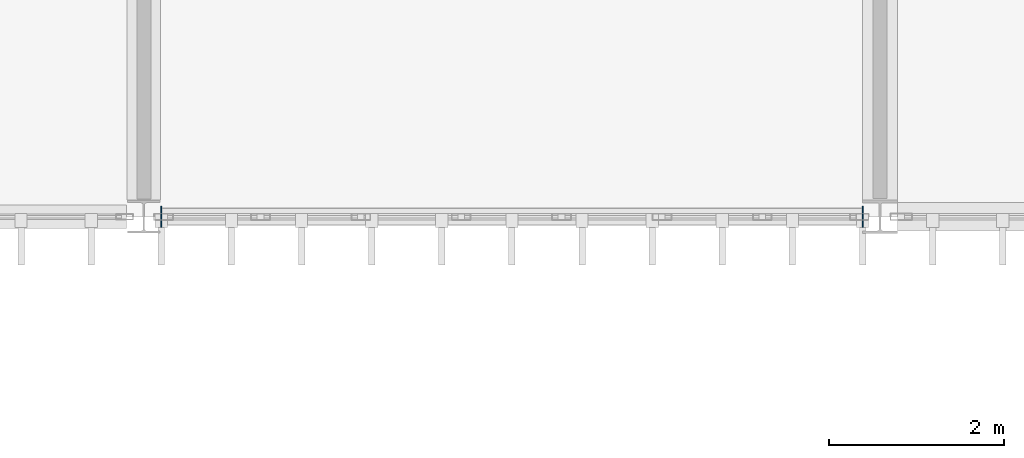
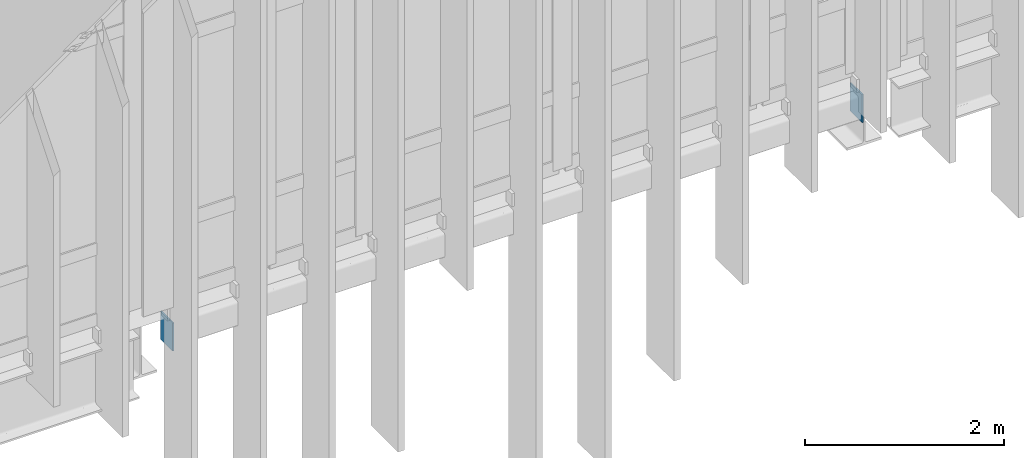
# One storey, part 108 of 153: 2 plates.
"""IFC4 building model written with IfcOpenShell, lengths in metres."""

from ifc_helpers import new_model, si_unit, direction, frame, origin, origin_2d, place, context, subcontext, project, spatial, rectangle, extrude, material, layer, layer_set, type_object, element, save


model = new_model("IFC4")

# Units and contexts
model_context = context("Model", 3, precision=1e-05, world=origin(), true_north=direction((0.0, 1.0)))
body_context = subcontext(model_context, "Body", "Model", "MODEL_VIEW")
ifc_project = project(units=[si_unit("LENGTHUNIT", "METRE"), si_unit("AREAUNIT", "SQUARE_METRE"), si_unit("VOLUMEUNIT", "CUBIC_METRE"), si_unit("PLANEANGLEUNIT", "RADIAN"), si_unit("MASSUNIT", "GRAM", prefix="KILO")], contexts=[model_context])

# Site, building, storey
site_placement = place(None, origin())
site = spatial("IfcSite", under=ifc_project, at=site_placement, CompositionType="ELEMENT")
building_placement = place(site_placement, origin())
building = spatial("IfcBuilding", under=site, at=building_placement, Name="Calvrana Isthmian Art Gallery", CompositionType="ELEMENT")
storey_placement = place(building_placement, frame((0.0, 0.0, 10.199951171875)))
storey = spatial("IfcBuildingStorey", under=building, at=storey_placement, Name="L02", CompositionType="ELEMENT", Elevation=10.199951171875)

# Plates
ifc_material = material(Name="Steel ASTM A572 Gr 50", Category="steel")
ifc_layer = layer(ifc_material, 0.01611328125, Name="Steel ASTM A572 Gr 50")
ifc_layer_set = layer_set([ifc_layer], Name="Steel ASTM A572 Gr 50")
plate_type = type_object("IfcPlateType", Name="PL-CAP-16", PredefinedType="SHEET", material=ifc_layer_set)
for number, where, z_axis, x_axis, name in (
    (1, (46.99951171875, 21.60009765625, -0.589599609375), (0.0, 0.0, 1.0), (1.0, 0.0, 0.0), "Hollow section end cap plate 449"),
    (2, (55.001953125, 21.60009765625, -0.589599609375), (0.0, 0.0, 1.0), (1.0, 0.0, 0.0), "Hollow section end cap plate 450"),
):
    element("IfcPlate", number, at=place(storey_placement, frame(where, z_axis=z_axis, x_axis=x_axis)), inside=storey, type_object=plate_type, Name=name, PredefinedType="SHEET", context=body_context, shape_type="SweptSolid", body=[
        extrude(rectangle(XDim=0.01611328125, YDim=0.2431640625, at=origin_2d()), origin(), (0.0, 0.0, 1.0), 0.3447265625),
    ])

save(model, "model.ifc")
